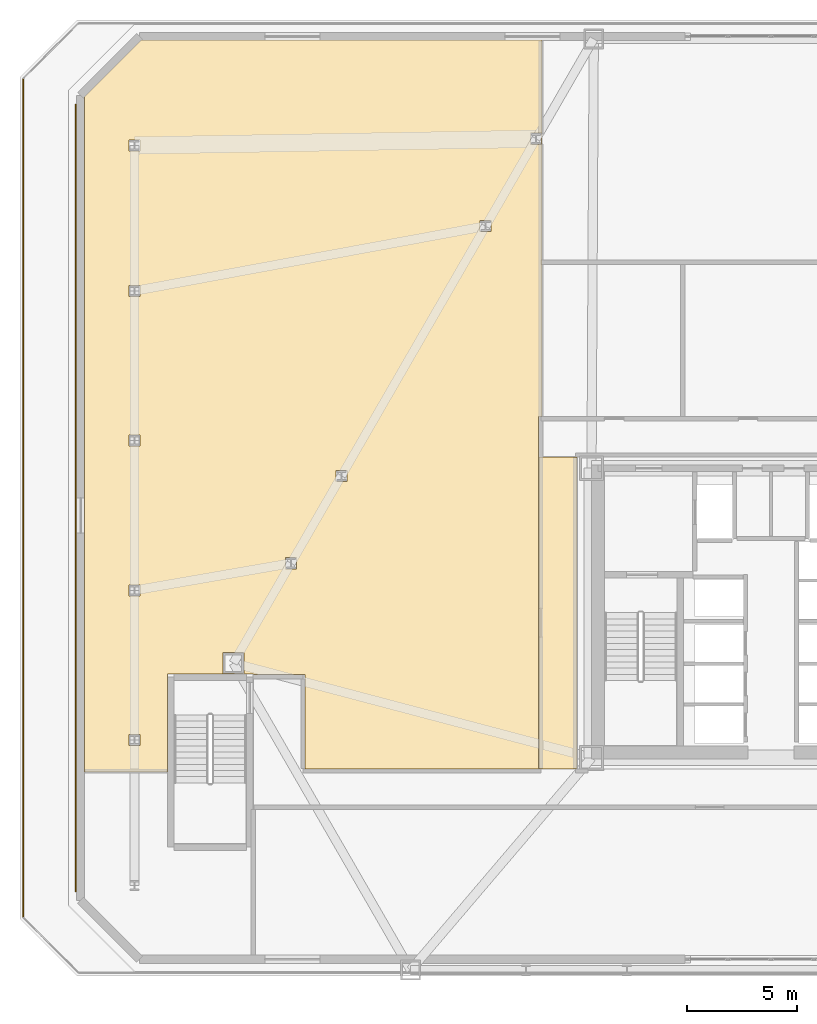
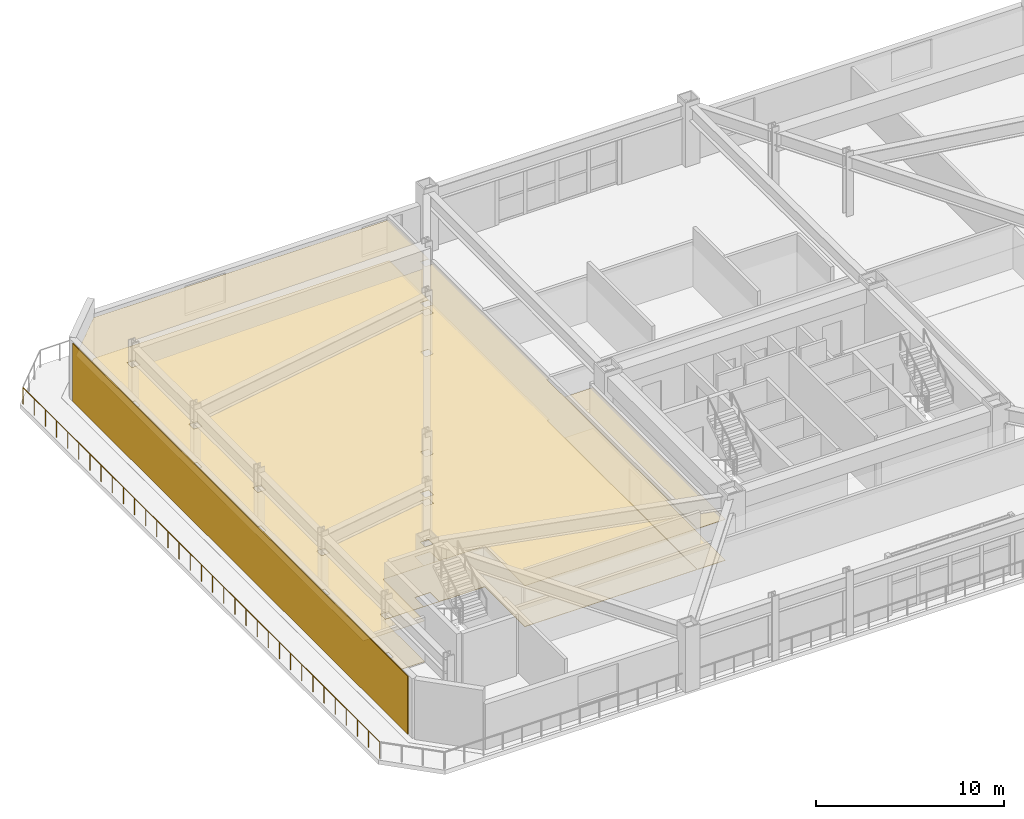
# One storey, part 17 of 22: 5 coverings, 1 railing.
"""IFC4 building model written with IfcOpenShell, lengths in metres."""

from ifc_helpers import new_model, si_unit, direction, frame, origin, origin_2d, place, context, subcontext, project, spatial, polyline, rectangle, circle, outline, extrude, material, layer, layer_set, type_object, element, save


model = new_model("IFC4")

# Units and contexts
model_context = context("Model", 3, precision=1e-05, world=origin(), true_north=direction((0.0, 1.0)))
body_context = subcontext(model_context, "Body", "Model", "MODEL_VIEW")
ifc_project = project(units=[si_unit("LENGTHUNIT", "METRE"), si_unit("AREAUNIT", "SQUARE_METRE"), si_unit("VOLUMEUNIT", "CUBIC_METRE"), si_unit("PLANEANGLEUNIT", "RADIAN"), si_unit("MASSUNIT", "GRAM", prefix="KILO")], contexts=[model_context])

# Site, building, storey
site_placement = place(None, origin())
site = spatial("IfcSite", under=ifc_project, at=site_placement, CompositionType="ELEMENT")
building_placement = place(site_placement, origin())
building = spatial("IfcBuilding", under=site, at=building_placement, Name="Oramaril Tower", CompositionType="ELEMENT")
storey_placement = place(building_placement, frame((0.0, 0.0, 18.300048828125)))
storey = spatial("IfcBuildingStorey", under=building, at=storey_placement, Name="L04", CompositionType="ELEMENT", Elevation=18.300048828125)

# Coverings
ifc_material_1 = material(Name="Mineral Fibre Acoustic Ceiling")
ifc_layer_1 = layer(ifc_material_1, 0.02001953125)
ifc_layer_set_1 = layer_set([ifc_layer_1], Name="CVT-CEIL")
covering_type_1 = type_object("IfcCoveringType", Name="CVT-CEIL", PredefinedType="CEILING", material=ifc_layer_set_1)
covering_1_placement = place(storey_placement, frame((0.0, 0.0, 2.661865234375)))
element("IfcCovering", 1, at=covering_1_placement, inside=storey, type_object=covering_type_1, Name="L04 Acoustic Suspended Ceiling 3", PredefinedType="CEILING", context=body_context, shape_type="SweptSolid", body=[
    extrude(outline(polyline([(28.699951171875, 10.5), (26.969970703125, 10.5), (26.969970703125, 24.64990234375), (28.699951171875, 24.64990234375), (28.699951171875, 10.5)])), origin(), (0.0, 0.0, 1.0), 0.02001953125),
])
covering_2_placement = place(storey_placement, frame((0.0, 0.0, 2.661865234375)))
element("IfcCovering", 2, at=covering_2_placement, inside=storey, type_object=covering_type_1, Name="L04 Acoustic Suspended Ceiling 6", PredefinedType="CEILING", context=body_context, shape_type="SweptSolid", body=[
    extrude(outline(polyline([(27.092041015625, 43.58203125), (27.092041015625, 26.5), (26.969970703125, 26.5), (26.968017578125, 26.5), (26.966064453125, 26.49951171875), (26.964111328125, 26.4990234375), (26.96240234375, 26.49853515625), (26.960693359375, 26.49755859375), (26.958984375, 26.49658203125), (26.957275390625, 26.49560546875), (26.955810546875, 26.494140625), (26.95458984375, 26.49267578125), (26.953369140625, 26.4912109375), (26.952392578125, 26.489501953125), (26.951416015625, 26.48779296875), (26.950927734375, 26.48583984375), (26.950439453125, 26.48388671875), (26.9501953125, 26.48193359375), (26.949951171875, 26.47998046875), (26.949951171875, 24.669921875), (26.9501953125, 24.66796875), (26.950439453125, 24.666015625), (26.950927734375, 24.664306640625), (26.951416015625, 24.662353515625), (26.952392578125, 24.66064453125), (26.95263671875, 24.659912109375), (26.952392578125, 24.659423828125), (26.951416015625, 24.65771484375), (26.950927734375, 24.65576171875), (26.950439453125, 24.65380859375), (26.9501953125, 24.652099609375), (26.949951171875, 24.64990234375), (26.949951171875, 10.5), (16.35009765625, 10.5), (16.35009765625, 14.760009765625), (16.349853515625, 14.761962890625), (16.349609375, 14.763916015625), (16.34912109375, 14.765869140625), (16.348388671875, 14.767578125), (16.34765625, 14.769287109375), (16.3466796875, 14.77099609375), (16.345458984375, 14.772705078125), (16.343994140625, 14.774169921875), (16.3427734375, 14.775390625), (16.341064453125, 14.776611328125), (16.33935546875, 14.777587890625), (16.337646484375, 14.778564453125), (16.335693359375, 14.779052734375), (16.333984375, 14.779541015625), (16.33203125, 14.77978515625), (16.330078125, 14.780029296875), (14.0, 14.780029296875), (14.0, 14.800048828125), (10.10009765625, 14.800048828125), (10.10009765625, 10.35791015625), (6.318115234375, 10.35791015625), (6.318115234375, 41.002685546875), (8.8974609375, 43.58203125), (27.092041015625, 43.58203125)]), holes=[polyline([(8.8525390625, 12.052490234375), (8.347412109375, 12.052490234375), (8.347412109375, 11.547607421875), (8.8525390625, 11.547607421875), (8.8525390625, 12.052490234375)]), polyline([(13.559814453125, 15.77001953125), (12.61962890625, 15.77001953125), (12.61962890625, 14.830078125), (13.559814453125, 14.830078125), (13.559814453125, 15.77001953125)]), polyline([(8.8525390625, 18.8525390625), (8.347412109375, 18.8525390625), (8.347412109375, 18.347412109375), (8.8525390625, 18.347412109375), (8.8525390625, 18.8525390625)]), polyline([(15.960205078125, 19.581787109375), (15.960205078125, 20.0869140625), (15.455078125, 20.0869140625), (15.455078125, 19.581787109375), (15.960205078125, 19.581787109375)]), polyline([(18.250732421875, 23.549560546875), (18.250732421875, 24.054443359375), (17.745849609375, 24.054443359375), (17.745849609375, 23.549560546875), (18.250732421875, 23.549560546875)]), polyline([(8.8525390625, 25.652587890625), (8.347412109375, 25.652587890625), (8.347412109375, 25.1474609375), (8.8525390625, 25.1474609375), (8.8525390625, 25.652587890625)]), polyline([(8.8525390625, 32.452392578125), (8.347412109375, 32.452392578125), (8.347412109375, 31.947509765625), (8.8525390625, 31.947509765625), (8.8525390625, 32.452392578125)]), polyline([(24.795654296875, 35.390380859375), (24.290771484375, 35.390380859375), (24.290771484375, 34.885498046875), (24.795654296875, 34.885498046875), (24.795654296875, 35.390380859375)]), polyline([(8.8525390625, 38.547607421875), (8.8525390625, 39.052490234375), (8.347412109375, 39.052490234375), (8.347412109375, 38.547607421875), (8.8525390625, 38.547607421875)]), polyline([(27.08642578125, 38.85302734375), (27.08642578125, 39.358154296875), (26.581298828125, 39.358154296875), (26.581298828125, 38.85302734375), (27.08642578125, 38.85302734375)])]), origin(), (0.0, 0.0, 1.0), 0.02001953125),
])
ifc_material_2 = material(Name="Warm Cream Limestone", Category="masonry")
ifc_layer_2 = layer(ifc_material_2, 0.050048828125)
ifc_layer_set_2 = layer_set([ifc_layer_2], Name="CVT-CLD")
covering_type_2 = type_object("IfcCoveringType", Name="CVT-CLD", PredefinedType="CLADDING", material=ifc_layer_set_2)
covering_3_placement = place(storey_placement, frame((5.93701171875, 22.800048828125, 0.0498046875), z_axis=(0.0, 0.0, 1.0), x_axis=(0.0, -1.0, 0.0)))
element("IfcCovering", 3, at=covering_3_placement, inside=storey, type_object=covering_type_2, Name="L04 Warm Cream Limestone Cladding", PredefinedType="CLADDING", context=body_context, shape_type="SweptSolid", body=[
    extrude(rectangle(XDim=35.744384765625, YDim=0.050048828125, at=origin_2d()), origin(), (0.0, 0.0, 1.0), 3.780029296875),
])
ifc_material_3 = material(Name="Honed Quartzite Stone Flooring", Category="masonry")
ifc_layer_3 = layer(ifc_material_3, 0.02490234375)
ifc_layer_set_3 = layer_set([ifc_layer_3], Name="CVT-FLR")
covering_type_3 = type_object("IfcCoveringType", Name="CVT-FLR", PredefinedType="FLOORING", material=ifc_layer_set_3)
covering_4_placement = place(storey_placement, origin())
element("IfcCovering", 4, at=covering_4_placement, inside=storey, type_object=covering_type_3, Name="L04 Honed Stone Floor Finish 3", PredefinedType="FLOORING", context=body_context, shape_type="SweptSolid", body=[
    extrude(outline(polyline([(28.699951171875, 10.5), (26.969970703125, 10.5), (26.969970703125, 24.64990234375), (28.699951171875, 24.64990234375), (28.699951171875, 10.5)])), origin(), (0.0, 0.0, 1.0), 0.02490234375),
])
covering_5_placement = place(storey_placement, origin())
element("IfcCovering", 5, at=covering_5_placement, inside=storey, type_object=covering_type_3, Name="L04 Honed Stone Floor Finish 6", PredefinedType="FLOORING", context=body_context, shape_type="SweptSolid", body=[
    extrude(outline(polyline([(27.092041015625, 43.58203125), (27.092041015625, 26.5), (26.969970703125, 26.5), (26.968017578125, 26.5), (26.966064453125, 26.49951171875), (26.964111328125, 26.4990234375), (26.96240234375, 26.49853515625), (26.960693359375, 26.49755859375), (26.958984375, 26.49658203125), (26.957275390625, 26.49560546875), (26.955810546875, 26.494140625), (26.95458984375, 26.49267578125), (26.953369140625, 26.4912109375), (26.952392578125, 26.489501953125), (26.951416015625, 26.48779296875), (26.950927734375, 26.48583984375), (26.950439453125, 26.48388671875), (26.9501953125, 26.48193359375), (26.949951171875, 26.47998046875), (26.949951171875, 24.669921875), (26.9501953125, 24.66796875), (26.950439453125, 24.666015625), (26.950927734375, 24.664306640625), (26.951416015625, 24.662353515625), (26.952392578125, 24.66064453125), (26.95263671875, 24.659912109375), (26.952392578125, 24.659423828125), (26.951416015625, 24.65771484375), (26.950927734375, 24.65576171875), (26.950439453125, 24.65380859375), (26.9501953125, 24.652099609375), (26.949951171875, 24.64990234375), (26.949951171875, 10.5), (16.35009765625, 10.5), (16.35009765625, 14.760009765625), (16.349853515625, 14.761962890625), (16.349609375, 14.763916015625), (16.34912109375, 14.765869140625), (16.348388671875, 14.767578125), (16.34765625, 14.769287109375), (16.3466796875, 14.77099609375), (16.345458984375, 14.772705078125), (16.343994140625, 14.774169921875), (16.3427734375, 14.775390625), (16.341064453125, 14.776611328125), (16.33935546875, 14.777587890625), (16.337646484375, 14.778564453125), (16.335693359375, 14.779052734375), (16.333984375, 14.779541015625), (16.33203125, 14.77978515625), (16.330078125, 14.780029296875), (14.0, 14.780029296875), (14.0, 14.800048828125), (10.10009765625, 14.800048828125), (10.10009765625, 10.35791015625), (6.318115234375, 10.35791015625), (6.318115234375, 41.002685546875), (8.8974609375, 43.58203125), (27.092041015625, 43.58203125)]), holes=[polyline([(8.8525390625, 12.052490234375), (8.347412109375, 12.052490234375), (8.347412109375, 11.547607421875), (8.8525390625, 11.547607421875), (8.8525390625, 12.052490234375)]), polyline([(13.559814453125, 15.77001953125), (12.61962890625, 15.77001953125), (12.61962890625, 14.830078125), (13.559814453125, 14.830078125), (13.559814453125, 15.77001953125)]), polyline([(8.8525390625, 18.8525390625), (8.347412109375, 18.8525390625), (8.347412109375, 18.347412109375), (8.8525390625, 18.347412109375), (8.8525390625, 18.8525390625)]), polyline([(15.960205078125, 19.581787109375), (15.960205078125, 20.0869140625), (15.455078125, 20.0869140625), (15.455078125, 19.581787109375), (15.960205078125, 19.581787109375)]), polyline([(18.250732421875, 23.549560546875), (18.250732421875, 24.054443359375), (17.745849609375, 24.054443359375), (17.745849609375, 23.549560546875), (18.250732421875, 23.549560546875)]), polyline([(8.8525390625, 25.652587890625), (8.347412109375, 25.652587890625), (8.347412109375, 25.1474609375), (8.8525390625, 25.1474609375), (8.8525390625, 25.652587890625)]), polyline([(8.8525390625, 32.452392578125), (8.347412109375, 32.452392578125), (8.347412109375, 31.947509765625), (8.8525390625, 31.947509765625), (8.8525390625, 32.452392578125)]), polyline([(24.795654296875, 35.390380859375), (24.290771484375, 35.390380859375), (24.290771484375, 34.885498046875), (24.795654296875, 34.885498046875), (24.795654296875, 35.390380859375)]), polyline([(8.8525390625, 38.547607421875), (8.8525390625, 39.052490234375), (8.347412109375, 39.052490234375), (8.347412109375, 38.547607421875), (8.8525390625, 38.547607421875)]), polyline([(27.08642578125, 38.85302734375), (27.08642578125, 39.358154296875), (26.581298828125, 39.358154296875), (26.581298828125, 38.85302734375), (27.08642578125, 38.85302734375)])]), origin(), (0.0, 0.0, 1.0), 0.02490234375),
])

# Railing
ifc_material_4 = material(Name="Stainless Steel 316L", Category="steel")
railing_type = type_object("IfcRailingType", Name="RLT-GRD", PredefinedType="GUARDRAIL", material=ifc_material_4)
railing_placement = place(storey_placement, frame((3.5400390625, 41.81201171875, 0.0)))
element("IfcRailing", 6, at=railing_placement, inside=storey, type_object=railing_type, Name="L04 Podium Terrace Guardrail 07", PredefinedType="GUARDRAIL", context=body_context, shape_type="SweptSolid", body=[
    extrude(circle(Radius=0.02392578125, at=origin_2d()), frame((0.0, 0.0, 1.076171875), z_axis=(0.0, -1.0, 0.0), x_axis=(1.0, 0.0, 0.0)), (0.0, 0.0, 1.0), 38.02392578125),
    extrude(circle(Radius=0.02099609375, at=origin_2d()), origin(), (0.0, 0.0, 1.0), 1.052001953125),
    extrude(circle(Radius=0.02099609375, at=origin_2d()), frame((0.0, -1.188232421875, 0.0)), (0.0, 0.0, 1.0), 1.052001953125),
    extrude(circle(Radius=0.02099609375, at=origin_2d()), frame((0.0, -2.37646484375, 0.0)), (0.0, 0.0, 1.0), 1.052001953125),
    extrude(circle(Radius=0.02099609375, at=origin_2d()), frame((0.0, -3.564697265625, 0.0)), (0.0, 0.0, 1.0), 1.052001953125),
    extrude(circle(Radius=0.02099609375, at=origin_2d()), frame((0.0, -4.7529296875, 0.0)), (0.0, 0.0, 1.0), 1.052001953125),
    extrude(circle(Radius=0.02099609375, at=origin_2d()), frame((0.0, -5.941162109375, 0.0)), (0.0, 0.0, 1.0), 1.052001953125),
    extrude(circle(Radius=0.02099609375, at=origin_2d()), frame((0.0, -7.12939453125, 0.0)), (0.0, 0.0, 1.0), 1.052001953125),
    extrude(circle(Radius=0.02099609375, at=origin_2d()), frame((0.0, -8.317626953125, 0.0)), (0.0, 0.0, 1.0), 1.052001953125),
    extrude(circle(Radius=0.02099609375, at=origin_2d()), frame((0.0, -9.505859375, 0.0)), (0.0, 0.0, 1.0), 1.052001953125),
    extrude(circle(Radius=0.02099609375, at=origin_2d()), frame((0.0, -10.6943359375, 0.0)), (0.0, 0.0, 1.0), 1.052001953125),
    extrude(circle(Radius=0.02099609375, at=origin_2d()), frame((0.0, -11.882568359375, 0.0)), (0.0, 0.0, 1.0), 1.052001953125),
    extrude(circle(Radius=0.02099609375, at=origin_2d()), frame((0.0, -13.07080078125, 0.0)), (0.0, 0.0, 1.0), 1.052001953125),
    extrude(circle(Radius=0.02099609375, at=origin_2d()), frame((0.0, -14.259033203125, 0.0)), (0.0, 0.0, 1.0), 1.052001953125),
    extrude(circle(Radius=0.02099609375, at=origin_2d()), frame((0.0, -15.447265625, 0.0)), (0.0, 0.0, 1.0), 1.052001953125),
    extrude(circle(Radius=0.02099609375, at=origin_2d()), frame((0.0, -16.635498046875, 0.0)), (0.0, 0.0, 1.0), 1.052001953125),
    extrude(circle(Radius=0.02099609375, at=origin_2d()), frame((0.0, -17.82373046875, 0.0)), (0.0, 0.0, 1.0), 1.052001953125),
    extrude(circle(Radius=0.02099609375, at=origin_2d()), frame((0.0, -19.011962890625, 0.0)), (0.0, 0.0, 1.0), 1.052001953125),
    extrude(circle(Radius=0.02099609375, at=origin_2d()), frame((0.0, -20.2001953125, 0.0)), (0.0, 0.0, 1.0), 1.052001953125),
    extrude(circle(Radius=0.02099609375, at=origin_2d()), frame((0.0, -21.388427734375, 0.0)), (0.0, 0.0, 1.0), 1.052001953125),
    extrude(circle(Radius=0.02099609375, at=origin_2d()), frame((0.0, -22.57666015625, 0.0)), (0.0, 0.0, 1.0), 1.052001953125),
    extrude(circle(Radius=0.02099609375, at=origin_2d()), frame((0.0, -23.764892578125, 0.0)), (0.0, 0.0, 1.0), 1.052001953125),
    extrude(circle(Radius=0.02099609375, at=origin_2d()), frame((0.0, -24.953125, 0.0)), (0.0, 0.0, 1.0), 1.052001953125),
    extrude(circle(Radius=0.02099609375, at=origin_2d()), frame((0.0, -26.141357421875, 0.0)), (0.0, 0.0, 1.0), 1.052001953125),
    extrude(circle(Radius=0.02099609375, at=origin_2d()), frame((0.0, -27.32958984375, 0.0)), (0.0, 0.0, 1.0), 1.052001953125),
    extrude(circle(Radius=0.02099609375, at=origin_2d()), frame((0.0, -28.51806640625, 0.0)), (0.0, 0.0, 1.0), 1.052001953125),
    extrude(circle(Radius=0.02099609375, at=origin_2d()), frame((0.0, -29.706298828125, 0.0)), (0.0, 0.0, 1.0), 1.052001953125),
    extrude(circle(Radius=0.02099609375, at=origin_2d()), frame((0.0, -30.89453125, 0.0)), (0.0, 0.0, 1.0), 1.052001953125),
    extrude(circle(Radius=0.02099609375, at=origin_2d()), frame((0.0, -32.082763671875, 0.0)), (0.0, 0.0, 1.0), 1.052001953125),
    extrude(circle(Radius=0.02099609375, at=origin_2d()), frame((0.0, -33.27099609375, 0.0)), (0.0, 0.0, 1.0), 1.052001953125),
    extrude(circle(Radius=0.02099609375, at=origin_2d()), frame((0.0, -34.459228515625, 0.0)), (0.0, 0.0, 1.0), 1.052001953125),
    extrude(circle(Radius=0.02099609375, at=origin_2d()), frame((0.0, -35.6474609375, 0.0)), (0.0, 0.0, 1.0), 1.052001953125),
    extrude(circle(Radius=0.02099609375, at=origin_2d()), frame((0.0, -36.835693359375, 0.0)), (0.0, 0.0, 1.0), 1.052001953125),
    extrude(circle(Radius=0.02099609375, at=origin_2d()), frame((0.0, -38.02392578125, 0.0)), (0.0, 0.0, 1.0), 1.052001953125),
])

save(model, "model.ifc")
